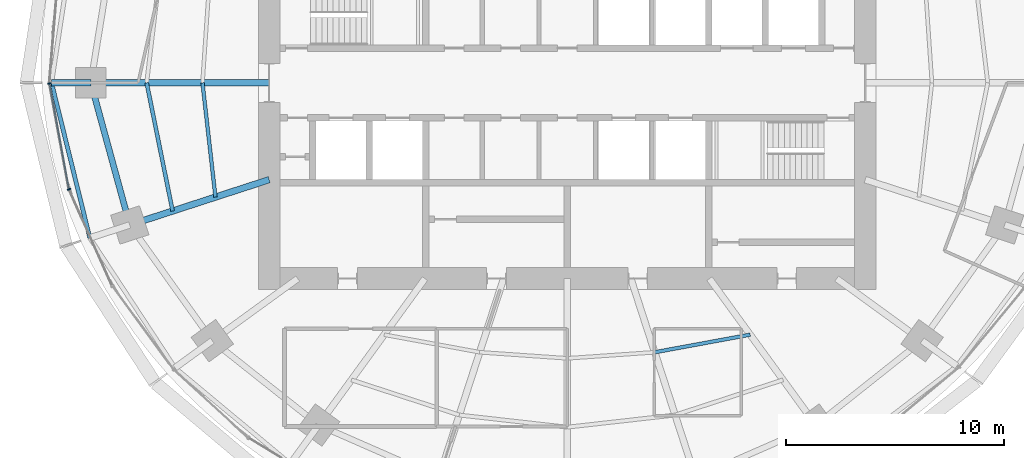
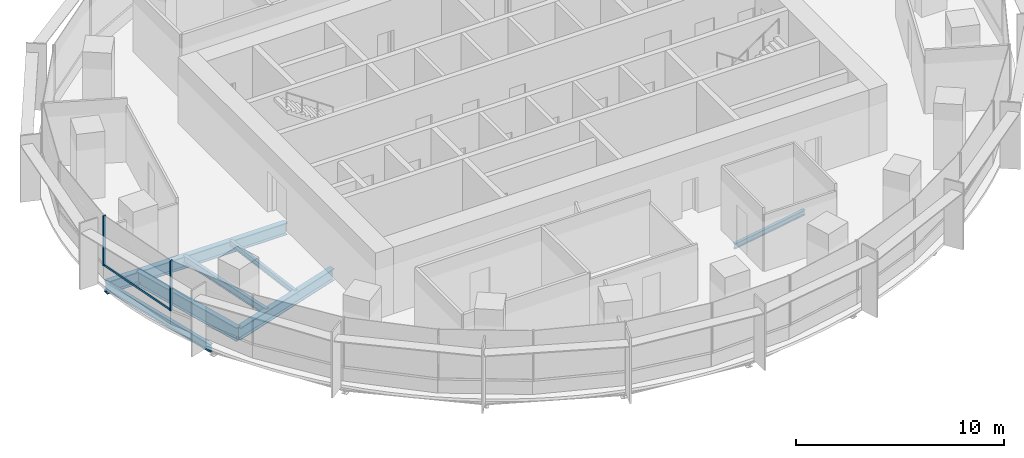
# One storey, part 3 of 14: 8 beams, 3 members, 1 element without a shape of its own.
"""IFC4 building model written with IfcOpenShell, lengths in metres."""

from ifc_helpers import new_model, si_unit, direction, frame, origin, origin_2d, place, context, subcontext, project, spatial, rectangle, i_section, extrude, material, material_profile, profile_set, type_object, element, aggregate, save


model = new_model("IFC4")

# Units and contexts
model_context = context("Model", 3, precision=1e-05, world=origin(), true_north=direction((0.0, 1.0)))
body_context = subcontext(model_context, "Body", "Model", "MODEL_VIEW")
ifc_project = project(units=[si_unit("LENGTHUNIT", "METRE"), si_unit("AREAUNIT", "SQUARE_METRE"), si_unit("VOLUMEUNIT", "CUBIC_METRE"), si_unit("PLANEANGLEUNIT", "RADIAN"), si_unit("MASSUNIT", "GRAM", prefix="KILO")], contexts=[model_context])

# Site, building, storey
site_placement = place(None, origin())
site = spatial("IfcSite", under=ifc_project, at=site_placement, CompositionType="ELEMENT")
building_placement = place(site_placement, origin())
building = spatial("IfcBuilding", under=site, at=building_placement, Name="Marramba Exchange Tower", CompositionType="ELEMENT")
storey_placement = place(building_placement, frame((0.0, 0.0, 238.39990234375)))
storey = spatial("IfcBuildingStorey", under=building, at=storey_placement, Name="L58", CompositionType="ELEMENT", Elevation=238.39990234375)

# Beams
ifc_material_1 = material(Name="Steel AS/NZS 3679.2 grade 300", Category="steel")
ifc_material_profile_1 = material_profile(ifc_material_1, i_section(OverallWidth=0.300048828125, OverallDepth=0.699951171875, WebThickness=0.010009765625, FlangeThickness=0.031982421875, at=origin_2d()), Name="700WB173")
ifc_profile_set_1 = profile_set([ifc_material_profile_1], Name="Steel AS/NZS 3679.2 grade 300")
beam_type_1 = type_object("IfcBeamType", Name="Cantilever girder 700WB173", PredefinedType="BEAM", material=ifc_profile_set_1)
beam_1_placement = place(storey_placement, frame((-21.89990234375, 0.0, -0.510009765625), z_axis=(-1.0, 0.0, 0.0), x_axis=(0.0, -1.0, 0.0)))
element("IfcBeam", 1, at=beam_1_placement, inside=storey, type_object=beam_type_1, Name="Cantilever girder L58 TC11", PredefinedType="BEAM", context=body_context, shape_type="SweptSolid", body=[
    extrude(i_section(OverallWidth=0.300048828125, OverallDepth=0.699951171875, WebThickness=0.010009765625, FlangeThickness=0.031982421875, at=origin_2d()), origin(), (0.0, 0.0, 1.0), 1.80615234375),
])
ifc_material_2 = material(Name="Steel AS/NZS 3679.1 grade 300", Category="steel")
ifc_material_profile_2 = material_profile(ifc_material_2, i_section(OverallWidth=0.166015625, OverallDepth=0.306884765625, WebThickness=0.006591796875, FlangeThickness=0.01171875, FilletRadius=0.011474609375, at=origin_2d()), Name="310UB46.2")
ifc_profile_set_2 = profile_set([ifc_material_profile_2], Name="Steel AS/NZS 3679.1 grade 300")
beam_type_2 = type_object("IfcBeamType", Name="Floor joist 310UB46.2", PredefinedType="JOIST", material=ifc_profile_set_2)
beam_2_placement = place(storey_placement, frame((-16.7666015625, 0.0, -0.3134765625), z_axis=(0.112888968594, -0.993607609054, 0.0), x_axis=(0.993607609054, 0.112888968594, 0.0)))
element("IfcBeam", 2, at=beam_2_placement, inside=storey, type_object=beam_type_2, Name="Joist L58 bay 11 row 1", PredefinedType="JOIST", context=body_context, shape_type="SweptSolid", body=[
    extrude(i_section(OverallWidth=0.166015625, OverallDepth=0.306884765625, WebThickness=0.006591796875, FlangeThickness=0.01171875, FilletRadius=0.011474609375, at=origin_2d()), origin(), (0.0, 0.0, 1.0), 5.28759765625),
])
beam_3_placement = place(storey_placement, frame((4.0244140625, -12.3857421875, -0.3134765625), z_axis=(0.983455754421, 0.181148500119, 0.0), x_axis=(-0.181148500119, 0.983455754421, 0.0)))
element("IfcBeam", 3, at=beam_3_placement, inside=storey, type_object=beam_type_2, Name="Joist L58 bay 17 row 1", PredefinedType="JOIST", context=body_context, shape_type="SweptSolid", body=[
    extrude(i_section(OverallWidth=0.166015625, OverallDepth=0.306884765625, WebThickness=0.006591796875, FlangeThickness=0.01171875, FilletRadius=0.011474609375, at=origin_2d()), origin(), (0.0, 0.0, 1.0), 4.4609375),
])
ifc_material_profile_3 = material_profile(ifc_material_2, i_section(OverallWidth=0.177978515625, OverallDepth=0.406005859375, WebThickness=0.0078125, FlangeThickness=0.0126953125, FilletRadius=0.011474609375, at=origin_2d()), Name="410UB59.7")
ifc_profile_set_3 = profile_set([ifc_material_profile_3], Name="Steel AS/NZS 3679.1 grade 300")
beam_type_3 = type_object("IfcBeamType", Name="Floor joist 410UB59.7", PredefinedType="JOIST", material=ifc_profile_set_3)
beam_4_placement = place(storey_placement, frame((-19.333251953125, 0.0, -0.36279296875), z_axis=(0.198489047047, -0.980103105904, 0.0), x_axis=(0.980103105904, 0.198489047047, 0.0)))
element("IfcBeam", 4, at=beam_4_placement, inside=storey, type_object=beam_type_3, Name="Joist L58 bay 11 row 2", PredefinedType="JOIST", context=body_context, shape_type="SweptSolid", body=[
    extrude(i_section(OverallWidth=0.177978515625, OverallDepth=0.406005859375, WebThickness=0.0078125, FlangeThickness=0.0126953125, FilletRadius=0.011474609375, at=origin_2d()), origin(), (0.0, 0.0, 1.0), 6.013427734375),
])

# Curtain wall, members
ifc_material_3 = material(Name="Aluminium framing, bronze anodised", Category="aluminium")
curtain_wall_type = type_object("IfcCurtainWallType", Name="Office ribbon curtain wall", PredefinedType="USERDEFINED", material=ifc_material_3)
curtain_wall_placement = place(storey_placement, origin())
curtain_wall = element("IfcCurtainWall", 5, at=curtain_wall_placement, inside=storey, type_object=curtain_wall_type, Name="Curtain wall CW4 L58 F16-F20", ObjectType="RIBBON CURTAIN WALL", PredefinedType="USERDEFINED")
ifc_material_4 = material(Name="Aluminium mullion, bronze anodised", Category="aluminium")
ifc_material_profile_4 = material_profile(ifc_material_4, rectangle(XDim=0.159912109375, YDim=0.06005859375, at=origin_2d()), Name="CW4 mullion 60x160")
ifc_profile_set_4 = profile_set([ifc_material_profile_4], Name="Aluminium mullion, bronze anodised")
member_type_1 = type_object("IfcMemberType", Name="Office ribbon curtain wall mullion", PredefinedType="MULLION", material=ifc_profile_set_4)
member_1_placement = place(storey_placement, frame((-23.800537109375, -0.029541015625, 0.800048828125), z_axis=(0.0, 0.0, 1.0), x_axis=(0.983606636184, 0.180327438996, 0.0)))
member_1 = element("IfcMember", 6, at=member_1_placement, type_object=member_type_1, Name="CW4 mullion 1", PredefinedType="MULLION", context=body_context, shape_type="SweptSolid", body=[
    extrude(rectangle(XDim=0.159912109375, YDim=0.06005859375, at=origin_2d()), origin(), (0.0, 0.0, 1.0), 2.93994140625),
])
member_2_placement = place(storey_placement, frame((-22.90087890625, -4.897705078125, 0.800048828125), z_axis=(0.0, 0.0, 1.0), x_axis=(0.913179510401, 0.407557580942, 0.0)))
member_2 = element("IfcMember", 7, at=member_2_placement, type_object=member_type_1, Name="CW4 mullion 1", PredefinedType="MULLION", context=body_context, shape_type="SweptSolid", body=[
    extrude(rectangle(XDim=0.159912109375, YDim=0.06005859375, at=origin_2d()), origin(), (0.0, 0.0, 1.0), 2.93994140625),
])
ifc_material_5 = material(Name="Aluminium transom, bronze anodised", Category="aluminium")
ifc_material_profile_5 = material_profile(ifc_material_5, rectangle(XDim=0.06005859375, YDim=0.1201171875, at=origin_2d()), Name="CW4 transom 60x120")
ifc_profile_set_5 = profile_set([ifc_material_profile_5], Name="Aluminium transom, bronze anodised")
member_type_2 = type_object("IfcMemberType", Name="Office ribbon curtain wall transom", PredefinedType="USERDEFINED", material=ifc_profile_set_5)
member_3_placement = place(storey_placement, frame((-23.795166015625, -0.05908203125, 0.830078125), z_axis=(0.180330283276, -0.98360611473, 0.0), x_axis=(0.98360611473, 0.180330283276, 0.0)))
member_3 = element("IfcMember", 8, at=member_3_placement, type_object=member_type_2, Name="CW4 sill transom", ObjectType="TRANSOM", PredefinedType="USERDEFINED", context=body_context, shape_type="SweptSolid", body=[
    extrude(rectangle(XDim=0.06005859375, YDim=0.1201171875, at=origin_2d()), origin(), (0.0, 0.0, 1.0), 4.891357421875),
])
aggregate(curtain_wall, [member_1, member_3, member_2])

# Beams
ifc_material_profile_6 = material_profile(ifc_material_1, i_section(OverallWidth=0.300048828125, OverallDepth=0.699951171875, WebThickness=0.010009765625, FlangeThickness=0.031982421875, at=origin_2d()), Name="700WB173")
ifc_profile_set_6 = profile_set([ifc_material_profile_6], Name="Steel AS/NZS 3679.2 grade 300")
beam_type_4 = type_object("IfcBeamType", Name="Radial girder 700WB173", PredefinedType="BEAM", material=ifc_profile_set_6)
beam_5_placement = place(storey_placement, frame((-13.699951171875, 0.0, -0.510009765625), z_axis=(-1.0, 0.0, 0.0), x_axis=(0.0, -1.0, 0.0)))
element("IfcBeam", 9, at=beam_5_placement, inside=storey, type_object=beam_type_4, Name="Radial girder L58 TC11", PredefinedType="BEAM", context=body_context, shape_type="SweptSolid", body=[
    extrude(i_section(OverallWidth=0.300048828125, OverallDepth=0.699951171875, WebThickness=0.010009765625, FlangeThickness=0.031982421875, at=origin_2d()), origin(), (0.0, 0.0, 1.0), 8.199951171875),
])
beam_6_placement = place(storey_placement, frame((-13.699951171875, -4.451416015625, -0.510009765625), z_axis=(-0.951057759669, -0.309013167637, 0.0), x_axis=(0.309013167637, -0.951057759669, 0.0)))
element("IfcBeam", 10, at=beam_6_placement, inside=storey, type_object=beam_type_4, Name="Radial girder L58 TC12", PredefinedType="BEAM", context=body_context, shape_type="SweptSolid", body=[
    extrude(i_section(OverallWidth=0.300048828125, OverallDepth=0.699951171875, WebThickness=0.010009765625, FlangeThickness=0.031982421875, at=origin_2d()), origin(), (0.0, 0.0, 1.0), 6.7392578125),
])
ifc_material_profile_7 = material_profile(ifc_material_1, i_section(OverallWidth=0.27490234375, OverallDepth=0.800048828125, WebThickness=0.010009765625, FlangeThickness=0.02490234375, at=origin_2d()), Name="800WB168")
ifc_profile_set_7 = profile_set([ifc_material_profile_7], Name="Steel AS/NZS 3679.2 grade 300")
beam_type_5 = type_object("IfcBeamType", Name="Ring beam 800WB168", PredefinedType="SPANDREL", material=ifc_profile_set_7)
beam_7_placement = place(storey_placement, frame((-21.89990234375, 0.0, -0.559814453125), z_axis=(0.264291166956, -0.964442937176, 0.0), x_axis=(0.964442937176, 0.264291166956, 0.0)))
element("IfcBeam", 11, at=beam_7_placement, inside=storey, type_object=beam_type_5, Name="Ring beam L58 TC11-TC12", PredefinedType="SPANDREL", context=body_context, shape_type="SweptSolid", body=[
    extrude(i_section(OverallWidth=0.27490234375, OverallDepth=0.800048828125, WebThickness=0.010009765625, FlangeThickness=0.02490234375, at=origin_2d()), origin(), (0.0, 0.0, 1.0), 6.77490234375),
])
ifc_material_profile_8 = material_profile(ifc_material_2, i_section(OverallWidth=0.19091796875, OverallDepth=0.4599609375, WebThickness=0.010009765625, FlangeThickness=0.01611328125, FilletRadius=0.011474609375, at=origin_2d()), Name="460UB82.1")
ifc_profile_set_8 = profile_set([ifc_material_profile_8], Name="Steel AS/NZS 3679.1 grade 300")
beam_type_6 = type_object("IfcBeamType", Name="Slab edge beam 460UB82.1", PredefinedType="SPANDREL", material=ifc_profile_set_8)
beam_8_placement = place(storey_placement, frame((-23.7060546875, 0.0, -0.389892578125), z_axis=(0.23973454413, -0.970838476963, 0.0), x_axis=(0.970838476963, 0.23973454413, 0.0)))
element("IfcBeam", 12, at=beam_8_placement, inside=storey, type_object=beam_type_6, Name="Slab edge beam L58 TC11-TC12", PredefinedType="SPANDREL", context=body_context, shape_type="SweptSolid", body=[
    extrude(i_section(OverallWidth=0.19091796875, OverallDepth=0.4599609375, WebThickness=0.010009765625, FlangeThickness=0.01611328125, FilletRadius=0.011474609375, at=origin_2d()), origin(), (0.0, 0.0, 1.0), 7.344482421875),
])

save(model, "model.ifc")
